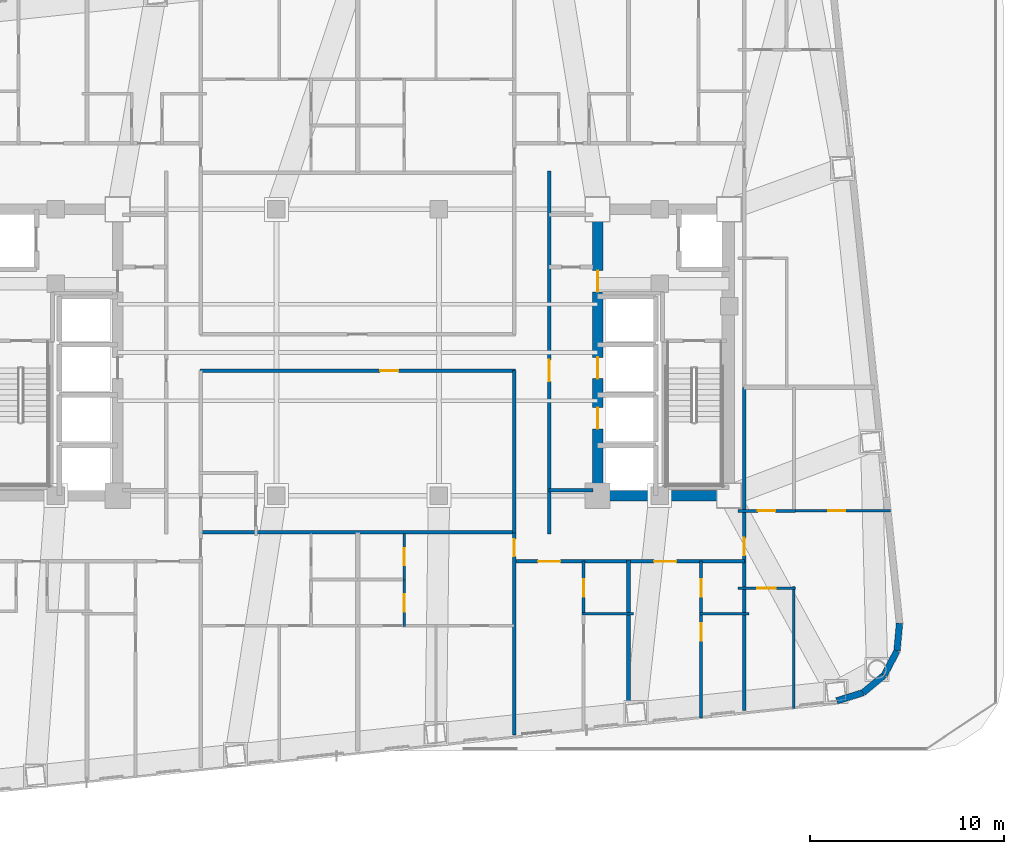
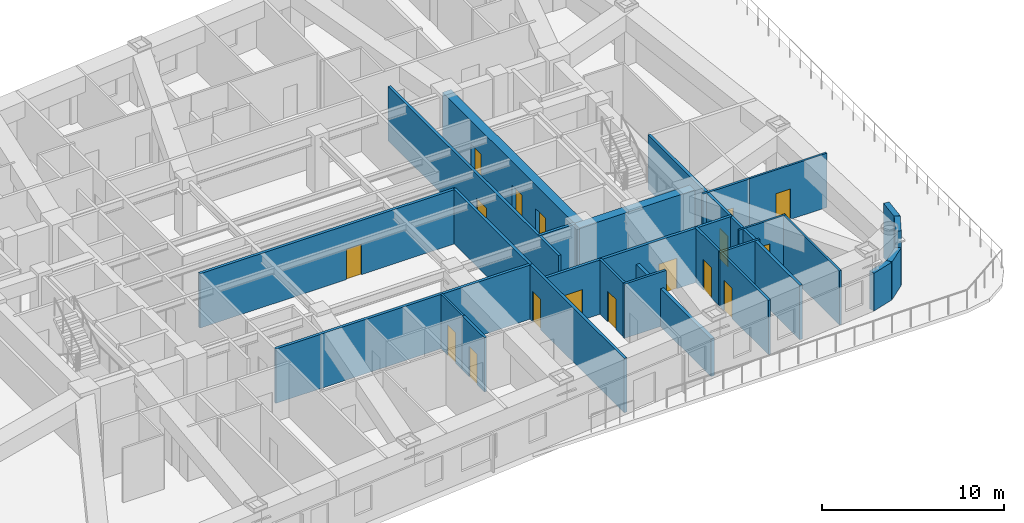
# One storey, part 9 of 15: 26 walls, 17 doors, 17 openings.
"""IFC4 building model written with IfcOpenShell, lengths in metres."""

import ifcopenshell
import ifcopenshell.guid

model = None  # the IFC model being written
_history = None  # IfcOwnerHistory: only IFC2X3 demands one
_inside = {}  # id of a spatial element -> (the spatial element, [elements in it])
_under = {}  # id of a project, library or spatial element -> (it, [spatial elements below it])
_declared = {}  # id of a project -> (the project, [libraries it declares])
_typed = {}  # id of a type object -> (the type object, [elements of that type])
_made_of = {}  # id of a material, layer set ... -> (it, [elements and type objects made of it])


def new_model(schema):
    """Start an empty IFC model of exactly this schema.

    Asked for "IFC4X3", IfcOpenShell would pick the latest addendum, in which some entities
    have other attributes; the version numbers below select the first issue.
    IFC2X3 requires an IfcOwnerHistory on every rooted entity: one is made here for all.
    """
    global model, _history
    if schema == "IFC4X3":
        model = ifcopenshell.file(schema_version=(4, 3, 0, 0))
    else:
        model = ifcopenshell.file(schema=schema)
    _inside.clear()
    _under.clear()
    _declared.clear()
    _typed.clear()
    _made_of.clear()
    _history = None
    if model.schema == "IFC2X3":
        org = make("IfcOrganization", Name="unknown")
        user = make(
            "IfcPersonAndOrganization",
            ThePerson=make("IfcPerson", FamilyName="unknown"),
            TheOrganization=org,
        )
        app = make(
            "IfcApplication",
            ApplicationDeveloper=org,
            Version="unknown",
            ApplicationFullName="unknown",
            ApplicationIdentifier="unknown",
        )
        _history = make(
            "IfcOwnerHistory",
            OwningUser=user,
            OwningApplication=app,
            ChangeAction="ADDED",
            CreationDate=0,
        )
    return model


def make(cls, **values):
    """One entity of the class cls with the attributes given. An attribute that is None is left unset."""
    return model.create_entity(
        cls, **{name: value for name, value in values.items() if value is not None}
    )


def rooted(cls, **values):
    """An entity with a GlobalId (a new one), such as an element, a storey or a relation."""
    return make(cls, GlobalId=ifcopenshell.guid.new(), OwnerHistory=_history, **values)


def si_unit(unit_type, name, prefix=None):
    """IfcSIUnit, for example si_unit("LENGTHUNIT", "METRE", prefix="MILLI")."""
    return make("IfcSIUnit", UnitType=unit_type, Prefix=prefix, Name=name)


def assignment(units):
    """IfcUnitAssignment: the units of a project."""
    return None if units is None else make("IfcUnitAssignment", Units=units)


def point(xyz):
    """IfcCartesianPoint."""
    return None if xyz is None else make("IfcCartesianPoint", Coordinates=xyz)


def direction(xyz):
    """IfcDirection."""
    return None if xyz is None else make("IfcDirection", DirectionRatios=xyz)


def frame(location, z_axis=None, x_axis=None):
    """IfcAxis2Placement3D, a coordinate frame: its origin and axes. An axis left out is left unset."""
    return make(
        "IfcAxis2Placement3D",
        Location=point(location),
        Axis=direction(z_axis),
        RefDirection=direction(x_axis),
    )


def frame_2d(location, x_axis=None):
    """IfcAxis2Placement2D, a coordinate frame in the plane: its origin and x axis."""
    return make(
        "IfcAxis2Placement2D", Location=point(location), RefDirection=direction(x_axis)
    )


def origin():
    """The frame at (0, 0, 0) with its axes left unset."""
    return frame((0.0, 0.0, 0.0))


def place(relative_to, where):
    """IfcLocalPlacement: puts the frame where relative to a parent placement (None: the world)."""
    return make(
        "IfcLocalPlacement", PlacementRelTo=relative_to, RelativePlacement=where
    )


def context(
    kind, dimensions, precision=None, world=None, true_north=None, identifier=None
):
    """IfcGeometricRepresentationContext, for example the 3D "Model" context."""
    return make(
        "IfcGeometricRepresentationContext",
        ContextIdentifier=identifier,
        ContextType=kind,
        CoordinateSpaceDimension=dimensions,
        Precision=precision,
        WorldCoordinateSystem=world,
        TrueNorth=true_north,
    )


def subcontext(parent, identifier, kind, view, scale=None):
    """IfcGeometricRepresentationSubContext, for example "Body" below "Model"."""
    return make(
        "IfcGeometricRepresentationSubContext",
        ContextIdentifier=identifier,
        ContextType=kind,
        ParentContext=parent,
        TargetScale=scale,
        TargetView=view,
    )


def project(units=None, contexts=None):
    """IfcProject with its units and contexts."""
    return rooted(
        "IfcProject",
        Name="project",
        RepresentationContexts=contexts,
        UnitsInContext=assignment(units),
    )


def spatial(cls, under=None, at=None, **own):
    """A site, building, storey or space (cls), placed at a placement, below another one or the project."""
    s = rooted(cls, ObjectPlacement=at, **own)
    if under is not None:
        _under.setdefault(under.id(), (under, []))[1].append(s)
    return s


def profile(cls, at=None, kind="AREA", **sizes):
    """A parametric profile (cls). Its sizes go by their IFC names, for example OverallWidth=200.0."""
    return make(cls, ProfileType=kind, Position=at, **sizes)


def rectangle(**sizes):
    """IfcRectangleProfileDef."""
    return profile("IfcRectangleProfileDef", **sizes)


def extrude(swept, where, along, depth):
    """IfcExtrudedAreaSolid: the profile swept, set in the frame where, extruded along a direction by depth."""
    return make(
        "IfcExtrudedAreaSolid",
        SweptArea=swept,
        Position=where,
        ExtrudedDirection=direction(along),
        Depth=depth,
    )


def shape(context_of_items, identifier, shape_type, items):
    """IfcShapeRepresentation: the items that make up one representation, for example the "Body"."""
    return make(
        "IfcShapeRepresentation",
        ContextOfItems=context_of_items,
        RepresentationIdentifier=identifier,
        RepresentationType=shape_type,
        Items=items,
    )


def material(Name=None, Category=None):
    """IfcMaterial."""
    return make("IfcMaterial", Name=Name, Category=Category)


def layer(
    of_material, thickness, ventilated=None, Name=None, Category=None, Priority=None
):
    """IfcMaterialLayer: one layer of a wall or slab, of a material (None: an air gap)."""
    return make(
        "IfcMaterialLayer",
        Material=of_material,
        LayerThickness=thickness,
        IsVentilated=ventilated,
        Name=Name,
        Category=Category,
        Priority=Priority,
    )


def layer_set(layers, Name=None):
    """IfcMaterialLayerSet."""
    return make("IfcMaterialLayerSet", MaterialLayers=layers, LayerSetName=Name)


def made_of(thing, what):
    """Note that an element or type object is made of a material, layer set ...; save() writes the relation."""
    if what is not None:
        _made_of.setdefault(what.id(), (what, []))[1].append(thing)
    return thing


def type_object(cls, material=None, **own):
    """A type object (cls), such as IfcWallType, which elements share."""
    return made_of(rooted(cls, **own), material)


def element(
    cls,
    number,
    at=None,
    inside=None,
    cuts=None,
    type_object=None,
    material=None,
    context=None,
    identifier="Body",
    shape_type=None,
    held_by="IfcProductDefinitionShape",
    body=None,
    shapes=None,
    **own,
):
    """One element of the class cls, such as IfcWall. Its Tag is "e" and its number.

    at: its placement. inside: the storey or other place that contains it. cuts: it is an
    opening in that element (IfcRelVoidsElement). A single representation is given by context,
    identifier, shape_type and body (its items); several are given by shapes. held_by: the class
    of the entity that holds the representations. save() writes the other relations.
    """
    e = rooted(cls, Tag="e%d" % number, ObjectPlacement=at, **own)
    if body is not None:
        shapes = [shape(context, identifier, shape_type, body)]
    if shapes is not None:
        e.Representation = make(held_by, Representations=shapes)
    if inside is not None:
        _inside.setdefault(inside.id(), (inside, []))[1].append(e)
    if cuts is not None:
        rooted(
            "IfcRelVoidsElement", RelatingBuildingElement=cuts, RelatedOpeningElement=e
        )
    if type_object is not None:
        _typed.setdefault(type_object.id(), (type_object, []))[1].append(e)
    return made_of(e, material)


def fill(opening, filler):
    """IfcRelFillsElement: the door or window that sits in an opening."""
    return rooted(
        "IfcRelFillsElement",
        RelatingOpeningElement=opening,
        RelatedBuildingElement=filler,
    )


def aggregate(whole, parts):
    """IfcRelAggregates: a whole, such as a stair, and the parts it consists of."""
    return rooted("IfcRelAggregates", RelatingObject=whole, RelatedObjects=parts)


def save(model, path):
    """Write the relations noted so far, then the file.

    IfcRelAggregates (storeys below a building ...), IfcRelContainedInSpatialStructure (elements
    in a storey), IfcRelDefinesByType, IfcRelAssociatesMaterial and IfcRelDeclares: one each for
    every whole, place, type object, material and project.
    """
    for whole, parts in _under.values():
        aggregate(whole, parts)
    for where, things in _inside.values():
        rooted(
            "IfcRelContainedInSpatialStructure",
            RelatedElements=things,
            RelatingStructure=where,
        )
    for kind, things in _typed.values():
        rooted("IfcRelDefinesByType", RelatedObjects=things, RelatingType=kind)
    for what, things in _made_of.values():
        rooted("IfcRelAssociatesMaterial", RelatedObjects=things, RelatingMaterial=what)
    for by, libraries in _declared.values():
        rooted("IfcRelDeclares", RelatingContext=by, RelatedDefinitions=libraries)
    model.write(path)


model = new_model("IFC4")

# Units and contexts
model_context = context("Model", 3, precision=1e-05, world=origin(), true_north=direction((0.0, 1.0)))
body_context = subcontext(model_context, "Body", "Model", "MODEL_VIEW")
ifc_project = project(units=[si_unit("LENGTHUNIT", "METRE"), si_unit("AREAUNIT", "SQUARE_METRE"), si_unit("VOLUMEUNIT", "CUBIC_METRE"), si_unit("PLANEANGLEUNIT", "RADIAN"), si_unit("MASSUNIT", "GRAM", prefix="KILO")], contexts=[model_context])

# Site, building, storey
site_placement = place(None, origin())
site = spatial("IfcSite", under=ifc_project, at=site_placement, CompositionType="ELEMENT")
building_placement = place(site_placement, origin())
building = spatial("IfcBuilding", under=site, at=building_placement, Name="Voryun Gate Residences", CompositionType="ELEMENT")
storey_placement = place(building_placement, frame((0.0, 0.0, 140.39990234375)))
storey = spatial("IfcBuildingStorey", under=building, at=storey_placement, Name="L34", CompositionType="ELEMENT", Elevation=140.39990234375)

# Wall
ifc_material_1 = material(Name="Concrete C60/75", Category="concrete")
ifc_layer_1 = layer(ifc_material_1, 0.550048828125, Name="CW_CORE_550")
ifc_layer_set_1 = layer_set([ifc_layer_1], Name="Concrete C60/75")
wall_type_1 = type_object("IfcWallType", Name="CW_CORE_550", PredefinedType="SHEAR", material=ifc_layer_set_1)
wall_1_placement = place(storey_placement, frame((12.125, -7.39990234375, 0.0), z_axis=(0.0, 0.0, 1.0), x_axis=(1.0, 0.0, 0.0)))
element("IfcWall", 1, at=wall_1_placement, inside=storey, type_object=wall_type_1, Name="L34 Core shear wall CW-L34-ES", PredefinedType="SHEAR", context=body_context, shape_type="SweptSolid", body=[
    extrude(rectangle(XDim=7.35009765625, YDim=0.550048828125, at=frame_2d((3.675048828125, 0.0))), origin(), (0.0, 0.0, 1.0), 3.650146484375),
])

# Wall, openings, doors
wall_2_placement = place(storey_placement, frame((12.39990234375, -7.39990234375, 0.0), z_axis=(0.0, 0.0, 1.0), x_axis=(0.0, 1.0, 0.0)))
wall_2 = element("IfcWall", 2, at=wall_2_placement, inside=storey, type_object=wall_type_1, Name="L34 Core shear wall CW-L34-EW", PredefinedType="SHEAR", context=body_context, shape_type="SweptSolid", body=[
    extrude(rectangle(XDim=14.7998046875, YDim=0.550048828125, at=frame_2d((7.39990234375, 0.0))), origin(), (0.0, 0.0, 1.0), 3.650146484375),
])
opening_1_placement = place(wall_2_placement, frame((3.449951171875, 0.0, 0.0)))
opening_1 = element("IfcOpeningElement", 3, at=opening_1_placement, cuts=wall_2, Name="Opening LD2", PredefinedType="OPENING", context=body_context, shape_type="SweptSolid", body=[
    extrude(rectangle(XDim=1.10009765625, YDim=2.050048828125, at=frame_2d((0.550048828125, 1.02490234375))), frame((0.0, 0.284912109375, 0.0), z_axis=(0.0, -1.0, 0.0), x_axis=(1.0, 0.0, 0.0)), (0.0, 0.0, 1.0), 0.570068359375),
])
opening_2_placement = place(wall_2_placement, frame((6.050048828125, 0.0, 0.0)))
opening_2 = element("IfcOpeningElement", 4, at=opening_2_placement, cuts=wall_2, Name="Opening LD2", PredefinedType="OPENING", context=body_context, shape_type="SweptSolid", body=[
    extrude(rectangle(XDim=1.10009765625, YDim=2.050048828125, at=frame_2d((0.550048828125, 1.02490234375))), frame((0.0, 0.284912109375, 0.0), z_axis=(0.0, -1.0, 0.0), x_axis=(1.0, 0.0, 0.0)), (0.0, 0.0, 1.0), 0.570068359375),
])
opening_3_placement = place(wall_2_placement, frame((10.530029296875, 0.0, 0.0)))
opening_3 = element("IfcOpeningElement", 5, at=opening_3_placement, cuts=wall_2, Name="Opening D-FD60-2", PredefinedType="OPENING", context=body_context, shape_type="SweptSolid", body=[
    extrude(rectangle(XDim=1.10009765625, YDim=2.050048828125, at=frame_2d((0.550048828125, 1.02490234375))), frame((0.0, 0.284912109375, 0.0), z_axis=(0.0, -1.0, 0.0), x_axis=(1.0, 0.0, 0.0)), (0.0, 0.0, 1.0), 0.570068359375),
])
ifc_material_2 = material(Name="Painted steel fire door", Category="steel")
door_type_1 = type_object("IfcDoorType", Name="DR_FD60_FFLOB_1100", OperationType="NOTDEFINED", PredefinedType="DOOR", material=ifc_material_2)
door_1_placement = place(opening_3_placement, origin())
door_1 = element("IfcDoor", 6, at=door_1_placement, inside=storey, type_object=door_type_1, Name="Door DR-L34-CLOB-E", OperationType="SINGLE_SWING_RIGHT", OverallHeight=2.050048828125, OverallWidth=1.10009765625, PredefinedType="DOOR", context=body_context, shape_type="SweptSolid", body=[
    extrude(rectangle(XDim=1.10009765625, YDim=2.050048828125, at=frame_2d((0.550048828125, 1.02490234375))), frame((0.0, 0.02490234375, 0.0), z_axis=(0.0, -1.0, 0.0), x_axis=(1.0, 0.0, 0.0)), (0.0, 0.0, 1.0), 0.050048828125),
])
fill(opening_3, door_1)
ifc_material_3 = material(Name="Anodised aluminium", Category="aluminium")
door_type_2 = type_object("IfcDoorType", Name="DR_LD_PASS_1100", OperationType="NOTDEFINED", PredefinedType="DOOR", material=ifc_material_3)
door_2_placement = place(opening_1_placement, origin())
door_2 = element("IfcDoor", 7, at=door_2_placement, inside=storey, type_object=door_type_2, Name="Lift EL-P5 sliding landing door L34", OperationType="SLIDING_TO_LEFT", OverallHeight=2.050048828125, OverallWidth=1.10009765625, PredefinedType="DOOR", context=body_context, shape_type="SweptSolid", body=[
    extrude(rectangle(XDim=1.10009765625, YDim=2.050048828125, at=frame_2d((0.550048828125, 1.02490234375))), frame((0.0, 0.02490234375, 0.0), z_axis=(0.0, -1.0, 0.0), x_axis=(1.0, 0.0, 0.0)), (0.0, 0.0, 1.0), 0.050048828125),
])
fill(opening_1, door_2)
door_3_placement = place(opening_2_placement, origin())
door_3 = element("IfcDoor", 8, at=door_3_placement, inside=storey, type_object=door_type_2, Name="Lift EL-P6 sliding landing door L34", OperationType="SLIDING_TO_LEFT", OverallHeight=2.050048828125, OverallWidth=1.10009765625, PredefinedType="DOOR", context=body_context, shape_type="SweptSolid", body=[
    extrude(rectangle(XDim=1.10009765625, YDim=2.050048828125, at=frame_2d((0.550048828125, 1.02490234375))), frame((0.0, 0.02490234375, 0.0), z_axis=(0.0, -1.0, 0.0), x_axis=(1.0, 0.0, 0.0)), (0.0, 0.0, 1.0), 0.050048828125),
])
fill(opening_2, door_3)

# Wall
ifc_material_4 = material(Name="Gypsum acoustic fireboard")
ifc_layer_2 = layer(ifc_material_4, 0.179931640625, Name="W_CORR_RATED_180")
ifc_layer_set_2 = layer_set([ifc_layer_2], Name="Gypsum acoustic fireboard")
wall_type_2 = type_object("IfcWallType", Name="W_CORR_RATED_180", PredefinedType="PARTITIONING", material=ifc_layer_set_2)
wall_3_placement = place(storey_placement, frame((9.8798828125, -7.1201171875, 0.0), z_axis=(0.0, 0.0, 1.0), x_axis=(1.0, 0.0, 0.0)))
element("IfcWall", 9, at=wall_3_placement, inside=storey, type_object=wall_type_2, Name="Partition wall WP-L34-PLBS-E", PredefinedType="PARTITIONING", context=body_context, shape_type="SweptSolid", body=[
    extrude(rectangle(XDim=2.27001953125, YDim=0.179931640625, at=frame_2d((1.135009765625, 0.0))), origin(), (0.0, 0.0, 1.0), 3.650146484375),
])

# Wall, opening, door
wall_4_placement = place(storey_placement, frame((9.89990234375, -9.3798828125, 0.0), z_axis=(0.0, 0.0, 1.0), x_axis=(0.0, 1.0, 0.0)))
wall_4 = element("IfcWall", 10, at=wall_4_placement, inside=storey, type_object=wall_type_2, Name="Partition wall WP-L34-PLBE-FULL", PredefinedType="PARTITIONING", context=body_context, shape_type="SweptSolid", body=[
    extrude(rectangle(XDim=18.759765625, YDim=0.179931640625, at=frame_2d((9.3798828125, 0.0))), origin(), (0.0, 0.0, 1.0), 3.650146484375),
])
opening_4_placement = place(wall_4_placement, frame((7.89208984375, 0.0, 0.0)))
opening_4 = element("IfcOpeningElement", 11, at=opening_4_placement, cuts=wall_4, Name="Opening D-FD60-2", PredefinedType="OPENING", context=body_context, shape_type="SweptSolid", body=[
    extrude(rectangle(XDim=1.10009765625, YDim=2.050048828125, at=frame_2d((0.550048828125, 1.02490234375))), frame((0.0, 0.099853515625, 0.0), z_axis=(0.0, -1.0, 0.0), x_axis=(1.0, 0.0, 0.0)), (0.0, 0.0, 1.0), 0.199951171875),
])
door_4_placement = place(opening_4_placement, origin())
door_4 = element("IfcDoor", 12, at=door_4_placement, inside=storey, type_object=door_type_1, Name="Door DR-L34-PLBE-COR", OperationType="SINGLE_SWING_RIGHT", OverallHeight=2.050048828125, OverallWidth=1.10009765625, PredefinedType="DOOR", context=body_context, shape_type="SweptSolid", body=[
    extrude(rectangle(XDim=1.10009765625, YDim=2.050048828125, at=frame_2d((0.550048828125, 1.02490234375))), frame((0.0, 0.02490234375, 0.0), z_axis=(0.0, -1.0, 0.0), x_axis=(1.0, 0.0, 0.0)), (0.0, 0.0, 1.0), 0.050048828125),
])
fill(opening_4, door_4)

# Wall
wall_5_placement = place(storey_placement, frame((-8.14990234375, -9.2900390625, 0.0), z_axis=(0.0, 0.0, 1.0), x_axis=(1.0, 0.0, 0.0)))
element("IfcWall", 13, at=wall_5_placement, inside=storey, type_object=wall_type_2, Name="Partition wall WP-L34-Z2S", PredefinedType="PARTITIONING", context=body_context, shape_type="SweptSolid", body=[
    extrude(rectangle(XDim=16.2998046875, YDim=0.179931640625, at=frame_2d((8.14990234375, 0.0))), origin(), (0.0, 0.0, 1.0), 3.650146484375),
])

# Wall, opening, door
wall_6_placement = place(storey_placement, frame((-8.14990234375, -0.93994140625, 0.0), z_axis=(0.0, 0.0, 1.0), x_axis=(1.0, 0.0, 0.0)))
wall_6 = element("IfcWall", 14, at=wall_6_placement, inside=storey, type_object=wall_type_2, Name="Partition wall WP-L34-Z2HS", PredefinedType="PARTITIONING", context=body_context, shape_type="SweptSolid", body=[
    extrude(rectangle(XDim=16.2998046875, YDim=0.179931640625, at=frame_2d((8.14990234375, 0.0))), origin(), (0.0, 0.0, 1.0), 3.650146484375),
])
opening_5_placement = place(wall_6_placement, frame((9.304931640625, 0.0, 0.0)))
opening_5 = element("IfcOpeningElement", 15, at=opening_5_placement, cuts=wall_6, Name="Opening D-INT-1", PredefinedType="OPENING", context=body_context, shape_type="SweptSolid", body=[
    extrude(rectangle(XDim=0.949951171875, YDim=2.050048828125, at=frame_2d((0.47509765625, 1.02490234375))), frame((0.0, 0.099853515625, 0.0), z_axis=(0.0, -1.0, 0.0), x_axis=(1.0, 0.0, 0.0)), (0.0, 0.0, 1.0), 0.199951171875),
])
ifc_material_5 = material(Name="Architectural oak veneer")
door_type_3 = type_object("IfcDoorType", Name="DR_INT_ROOM_950", OperationType="NOTDEFINED", PredefinedType="DOOR", material=ifc_material_5)
door_5_placement = place(opening_5_placement, origin())
door_5 = element("IfcDoor", 16, at=door_5_placement, inside=storey, type_object=door_type_3, Name="Door DR-L34-Z2SH", OperationType="SINGLE_SWING_RIGHT", OverallHeight=2.050048828125, OverallWidth=0.949951171875, PredefinedType="DOOR", context=body_context, shape_type="SweptSolid", body=[
    extrude(rectangle(XDim=0.949951171875, YDim=2.050048828125, at=frame_2d((0.47509765625, 1.02490234375))), frame((0.0, 0.02490234375, 0.0), z_axis=(0.0, -1.0, 0.0), x_axis=(1.0, 0.0, 0.0)), (0.0, 0.0, 1.0), 0.050048828125),
])
fill(opening_5, door_5)

# Wall
wall_7_placement = place(storey_placement, frame((8.10009765625, -9.330078125, 0.0), z_axis=(0.0, 0.0, 1.0), x_axis=(0.0, 1.0, 0.0)))
element("IfcWall", 17, at=wall_7_placement, inside=storey, type_object=wall_type_2, Name="Partition wall WP-L34-Z2ER2", PredefinedType="PARTITIONING", context=body_context, shape_type="SweptSolid", body=[
    extrude(rectangle(XDim=8.41015625, YDim=0.179931640625, at=frame_2d((4.205078125, 0.0))), origin(), (0.0, 0.0, 1.0), 3.650146484375),
])

# Wall, openings, doors
wall_8_placement = place(storey_placement, frame((8.080078125, -10.800048828125, 0.0), z_axis=(0.0, 0.0, 1.0), x_axis=(1.0, 0.0, 0.0)))
wall_8 = element("IfcWall", 18, at=wall_8_placement, inside=storey, type_object=wall_type_2, Name="Partition wall WP-L34-SCORR-E", PredefinedType="PARTITIONING", context=body_context, shape_type="SweptSolid", body=[
    extrude(rectangle(XDim=11.919921875, YDim=0.179931640625, at=frame_2d((5.9599609375, 0.0))), origin(), (0.0, 0.0, 1.0), 3.650146484375),
])
opening_6_placement = place(wall_8_placement, frame((1.251220703125, 0.0, 0.0)))
opening_6 = element("IfcOpeningElement", 19, at=opening_6_placement, cuts=wall_8, Name="Opening D-UNIT-1", PredefinedType="OPENING", context=body_context, shape_type="SweptSolid", body=[
    extrude(rectangle(XDim=1.14990234375, YDim=2.050048828125, at=frame_2d((0.574951171875, 1.02490234375))), frame((0.0, 0.099853515625, 0.0), z_axis=(0.0, -1.0, 0.0), x_axis=(1.0, 0.0, 0.0)), (0.0, 0.0, 1.0), 0.199951171875),
])
opening_7_placement = place(wall_8_placement, frame((7.244384765625, 0.0, 0.0)))
opening_7 = element("IfcOpeningElement", 20, at=opening_7_placement, cuts=wall_8, Name="Opening D-UNIT-1", PredefinedType="OPENING", context=body_context, shape_type="SweptSolid", body=[
    extrude(rectangle(XDim=1.14990234375, YDim=2.050048828125, at=frame_2d((0.574951171875, 1.02490234375))), frame((0.0, 0.099853515625, 0.0), z_axis=(0.0, -1.0, 0.0), x_axis=(1.0, 0.0, 0.0)), (0.0, 0.0, 1.0), 0.199951171875),
])
ifc_material_6 = material(Name="Armoured timber-clad fire door", Category="wood")
door_type_4 = type_object("IfcDoorType", Name="DR_UNIT_ENTRY_1150", OperationType="NOTDEFINED", PredefinedType="DOOR", material=ifc_material_6)
door_6_placement = place(opening_6_placement, origin())
door_6 = element("IfcDoor", 21, at=door_6_placement, inside=storey, type_object=door_type_4, Name="Door DR-L34-SENT-4", OperationType="SINGLE_SWING_LEFT", OverallHeight=2.050048828125, OverallWidth=1.14990234375, PredefinedType="DOOR", context=body_context, shape_type="SweptSolid", body=[
    extrude(rectangle(XDim=1.14990234375, YDim=2.050048828125, at=frame_2d((0.574951171875, 1.02490234375))), frame((0.0, 0.02490234375, 0.0), z_axis=(0.0, -1.0, 0.0), x_axis=(1.0, 0.0, 0.0)), (0.0, 0.0, 1.0), 0.050048828125),
])
fill(opening_6, door_6)
door_7_placement = place(opening_7_placement, origin())
door_7 = element("IfcDoor", 22, at=door_7_placement, inside=storey, type_object=door_type_4, Name="Door DR-L34-SENT-5", OperationType="SINGLE_SWING_RIGHT", OverallHeight=2.050048828125, OverallWidth=1.14990234375, PredefinedType="DOOR", context=body_context, shape_type="SweptSolid", body=[
    extrude(rectangle(XDim=1.14990234375, YDim=2.050048828125, at=frame_2d((0.574951171875, 1.02490234375))), frame((0.0, 0.02490234375, 0.0), z_axis=(0.0, -1.0, 0.0), x_axis=(1.0, 0.0, 0.0)), (0.0, 0.0, 1.0), 0.050048828125),
])
fill(opening_7, door_7)

# Wall, opening, door
wall_9_placement = place(storey_placement, frame((8.10009765625, -19.75390625, 0.0), z_axis=(0.0, 0.0, 1.0), x_axis=(0.0, 1.0, 0.0)))
wall_9 = element("IfcWall", 23, at=wall_9_placement, inside=storey, type_object=wall_type_2, Name="Partition wall WP-L34-SZV-2", PredefinedType="PARTITIONING", context=body_context, shape_type="SweptSolid", body=[
    extrude(rectangle(XDim=10.4638671875, YDim=0.179931640625, at=frame_2d((5.23193359375, 0.0))), origin(), (0.0, 0.0, 1.0), 3.650146484375),
])
opening_8_placement = place(wall_9_placement, frame((9.21337890625, 0.0, 0.0)))
opening_8 = element("IfcOpeningElement", 24, at=opening_8_placement, cuts=wall_9, Name="Opening D-INT-2", PredefinedType="OPENING", context=body_context, shape_type="SweptSolid", body=[
    extrude(rectangle(XDim=0.89990234375, YDim=2.050048828125, at=frame_2d((0.449951171875, 1.02490234375))), frame((0.0, 0.099853515625, 0.0), z_axis=(0.0, -1.0, 0.0), x_axis=(1.0, 0.0, 0.0)), (0.0, 0.0, 1.0), 0.199951171875),
])
ifc_material_7 = material(Name="Architectural oak veneer")
door_type_5 = type_object("IfcDoorType", Name="DR_INT_BATH_900", OperationType="NOTDEFINED", PredefinedType="DOOR", material=ifc_material_7)
door_8_placement = place(opening_8_placement, origin())
door_8 = element("IfcDoor", 25, at=door_8_placement, inside=storey, type_object=door_type_5, Name="Door DR-L34-SZENT-2", OperationType="SINGLE_SWING_RIGHT", OverallHeight=2.050048828125, OverallWidth=0.89990234375, PredefinedType="DOOR", context=body_context, shape_type="SweptSolid", body=[
    extrude(rectangle(XDim=0.89990234375, YDim=2.050048828125, at=frame_2d((0.449951171875, 1.02490234375))), frame((0.0, 0.02490234375, 0.0), z_axis=(0.0, -1.0, 0.0), x_axis=(1.0, 0.0, 0.0)), (0.0, 0.0, 1.0), 0.050048828125),
])
fill(opening_8, door_8)

wall_10_placement = place(storey_placement, frame((19.969970703125, -18.506103515625, 0.0), z_axis=(0.0, 0.0, 1.0), x_axis=(0.0, 1.0, 0.0)))
wall_10 = element("IfcWall", 26, at=wall_10_placement, inside=storey, type_object=wall_type_2, Name="Partition wall WP-L34-ECOR1", PredefinedType="PARTITIONING", context=body_context, shape_type="SweptSolid", body=[
    extrude(rectangle(XDim=16.7060546875, YDim=0.179931640625, at=frame_2d((8.35302734375, 0.0))), origin(), (0.0, 0.0, 1.0), 3.650146484375),
])
opening_9_placement = place(wall_10_placement, frame((8.026611328125, 0.0, 0.0)))
opening_9 = element("IfcOpeningElement", 27, at=opening_9_placement, cuts=wall_10, Name="Opening D-INT-2", PredefinedType="OPENING", context=body_context, shape_type="SweptSolid", body=[
    extrude(rectangle(XDim=0.89990234375, YDim=2.050048828125, at=frame_2d((0.449951171875, 1.02490234375))), frame((0.0, 0.099853515625, 0.0), z_axis=(0.0, -1.0, 0.0), x_axis=(1.0, 0.0, 0.0)), (0.0, 0.0, 1.0), 0.199951171875),
])
door_9_placement = place(opening_9_placement, origin())
door_9 = element("IfcDoor", 28, at=door_9_placement, inside=storey, type_object=door_type_5, Name="Door DR-L34-EE1", OperationType="SINGLE_SWING_LEFT", OverallHeight=2.050048828125, OverallWidth=0.89990234375, PredefinedType="DOOR", context=body_context, shape_type="SweptSolid", body=[
    extrude(rectangle(XDim=0.89990234375, YDim=2.050048828125, at=frame_2d((0.449951171875, 1.02490234375))), frame((0.0, 0.02490234375, 0.0), z_axis=(0.0, -1.0, 0.0), x_axis=(1.0, 0.0, 0.0)), (0.0, 0.0, 1.0), 0.050048828125),
])
fill(opening_9, door_9)

# Walls
ifc_material_8 = material(Name="Charcoal terracotta masonry", Category="masonry")
ifc_layer_3 = layer(ifc_material_8, 0.340087890625, Name="W_EXT_TERRACOTTA_340")
ifc_layer_set_3 = layer_set([ifc_layer_3], Name="Charcoal terracotta masonry")
wall_type_3 = type_object("IfcWallType", Name="W_EXT_TERRACOTTA_340", PredefinedType="ELEMENTEDWALL", material=ifc_layer_set_3)
wall_11_placement = place(storey_placement, frame((28.001220703125, -13.9951171875, 0.0), z_axis=(0.0, 0.0, 1.0), x_axis=(-0.091534682358, -0.995801888894, 0.0)))
element("IfcWall", 29, at=wall_11_placement, inside=storey, type_object=wall_type_3, Name="Exterior wall WEXT-L34-17", PredefinedType="ELEMENTEDWALL", context=body_context, shape_type="SweptSolid", body=[
    extrude(rectangle(XDim=1.432373046875, YDim=0.340087890625, at=frame_2d((0.71630859375, 0.0))), origin(), (0.0, 0.0, 1.0), 3.650146484375),
])
wall_12_placement = place(storey_placement, frame((27.8701171875, -15.42138671875, 0.0), z_axis=(0.0, 0.0, 1.0), x_axis=(-0.465682431293, -0.884951904447, 0.0)))
element("IfcWall", 30, at=wall_12_placement, inside=storey, type_object=wall_type_3, Name="Exterior wall WEXT-L34-18", PredefinedType="ELEMENTEDWALL", context=body_context, shape_type="SweptSolid", body=[
    extrude(rectangle(XDim=1.4150390625, YDim=0.340087890625, at=frame_2d((0.70751953125, 0.0))), origin(), (0.0, 0.0, 1.0), 3.650146484375),
])
wall_13_placement = place(storey_placement, frame((27.211181640625, -16.673583984375, 0.0), z_axis=(0.0, 0.0, 1.0), x_axis=(-0.768758372808, -0.639539337522, 0.0)))
element("IfcWall", 31, at=wall_13_placement, inside=storey, type_object=wall_type_3, Name="Exterior wall WEXT-L34-19", PredefinedType="ELEMENTEDWALL", context=body_context, shape_type="SweptSolid", body=[
    extrude(rectangle(XDim=1.4150390625, YDim=0.340087890625, at=frame_2d((0.70751953125, 0.0))), origin(), (0.0, 0.0, 1.0), 2.5400390625),
])
wall_14_placement = place(storey_placement, frame((26.123291015625, -17.57861328125, 0.0), z_axis=(0.0, 0.0, 1.0), x_axis=(-0.955042500381, -0.296468923271, 0.0)))
element("IfcWall", 32, at=wall_14_placement, inside=storey, type_object=wall_type_3, Name="Exterior wall WEXT-L34-20", PredefinedType="ELEMENTEDWALL", context=body_context, shape_type="SweptSolid", body=[
    extrude(rectangle(XDim=1.43212890625, YDim=0.340087890625, at=frame_2d((0.716064453125, 0.0))), origin(), (0.0, 0.0, 1.0), 2.5400390625),
])
ifc_material_9 = material(Name="Concrete C40/50", Category="concrete")
ifc_layer_4 = layer(ifc_material_9, 0.219970703125, Name="W_PARTY_ACOUSTIC_220")
ifc_layer_set_4 = layer_set([ifc_layer_4], Name="Concrete C40/50")
wall_type_4 = type_object("IfcWallType", Name="W_PARTY_ACOUSTIC_220", PredefinedType="PARTITIONING", material=ifc_layer_set_4)
wall_15_placement = place(storey_placement, frame((13.989990234375, -19.134765625, 0.0), z_axis=(0.0, 0.0, 1.0), x_axis=(0.0, 1.0, 0.0)))
element("IfcWall", 33, at=wall_15_placement, inside=storey, type_object=wall_type_4, Name="Partition wall WP-L34-SPTY-4", PredefinedType="PARTITIONING", context=body_context, shape_type="SweptSolid", body=[
    extrude(rectangle(XDim=8.414794921875, YDim=0.219970703125, at=frame_2d((4.20751953125, 0.0))), origin(), (0.0, 0.0, 1.0), 2.5400390625),
])

# Wall, opening, door
ifc_material_10 = material(Name="Gypsum acoustic partition")
ifc_layer_5 = layer(ifc_material_10, 0.125, Name="W_UNIT_PART_125")
ifc_layer_set_5 = layer_set([ifc_layer_5], Name="Gypsum acoustic partition")
wall_type_5 = type_object("IfcWallType", Name="W_UNIT_PART_125", PredefinedType="PARTITIONING", material=ifc_layer_set_5)
wall_16_placement = place(storey_placement, frame((2.409912109375, -11.760009765625, 0.0), z_axis=(0.0, 0.0, 1.0), x_axis=(0.0, 1.0, 0.0)))
wall_16 = element("IfcWall", 34, at=wall_16_placement, inside=storey, type_object=wall_type_5, Name="Partition wall WP-L34-SC2-VK1", PredefinedType="PARTITIONING", context=body_context, shape_type="SweptSolid", body=[
    extrude(rectangle(XDim=2.409912109375, YDim=0.125, at=frame_2d((1.205078125, 0.0))), origin(), (0.0, 0.0, 1.0), 3.650146484375),
])
opening_10_placement = place(wall_16_placement, frame((0.7548828125, 0.0, 0.0)))
opening_10 = element("IfcOpeningElement", 35, at=opening_10_placement, cuts=wall_16, Name="Opening D-INT-2", PredefinedType="OPENING", context=body_context, shape_type="SweptSolid", body=[
    extrude(rectangle(XDim=0.89990234375, YDim=2.050048828125, at=frame_2d((0.449951171875, 1.02490234375))), frame((0.0, 0.072509765625, 0.0), z_axis=(0.0, -1.0, 0.0), x_axis=(1.0, 0.0, 0.0)), (0.0, 0.0, 1.0), 0.14501953125),
])
door_10_placement = place(opening_10_placement, origin())
door_10 = element("IfcDoor", 36, at=door_10_placement, inside=storey, type_object=door_type_5, Name="Door DR-L34-SC2-DK", OperationType="SINGLE_SWING_LEFT", OverallHeight=2.050048828125, OverallWidth=0.89990234375, PredefinedType="DOOR", context=body_context, shape_type="SweptSolid", body=[
    extrude(rectangle(XDim=0.89990234375, YDim=2.050048828125, at=frame_2d((0.449951171875, 1.02490234375))), frame((0.0, 0.02490234375, 0.0), z_axis=(0.0, -1.0, 0.0), x_axis=(1.0, 0.0, 0.0)), (0.0, 0.0, 1.0), 0.050048828125),
])
fill(opening_10, door_10)

wall_17_placement = place(storey_placement, frame((22.48193359375, -8.18798828125, 0.0), z_axis=(0.0, 0.0, 1.0), x_axis=(1.0, 0.0, 0.0)))
wall_17 = element("IfcWall", 37, at=wall_17_placement, inside=storey, type_object=wall_type_5, Name="Partition wall WP-L34-E1-OHZ", PredefinedType="PARTITIONING", context=body_context, shape_type="SweptSolid", body=[
    extrude(rectangle(XDim=5.0595703125, YDim=0.125, at=frame_2d((2.52978515625, 0.0))), origin(), (0.0, 0.0, 1.0), 3.650146484375),
])
opening_11_placement = place(wall_17_placement, frame((1.826904296875, 0.0, 0.0)))
opening_11 = element("IfcOpeningElement", 38, at=opening_11_placement, cuts=wall_17, Name="Opening D-INT-2", PredefinedType="OPENING", context=body_context, shape_type="SweptSolid", body=[
    extrude(rectangle(XDim=0.89990234375, YDim=2.050048828125, at=frame_2d((0.449951171875, 1.02490234375))), frame((0.0, 0.072509765625, 0.0), z_axis=(0.0, -1.0, 0.0), x_axis=(1.0, 0.0, 0.0)), (0.0, 0.0, 1.0), 0.14501953125),
])
door_11_placement = place(opening_11_placement, origin())
door_11 = element("IfcDoor", 39, at=door_11_placement, inside=storey, type_object=door_type_5, Name="Door DR-L34-E1-DMB", OperationType="SINGLE_SWING_LEFT", OverallHeight=2.050048828125, OverallWidth=0.89990234375, PredefinedType="DOOR", context=body_context, shape_type="SweptSolid", body=[
    extrude(rectangle(XDim=0.89990234375, YDim=2.050048828125, at=frame_2d((0.449951171875, 1.02490234375))), frame((0.0, 0.02490234375, 0.0), z_axis=(0.0, -1.0, 0.0), x_axis=(1.0, 0.0, 0.0)), (0.0, 0.0, 1.0), 0.050048828125),
])
fill(opening_11, door_11)

wall_18_placement = place(storey_placement, frame((19.64990234375, -12.18505859375, 0.0), z_axis=(0.0, 0.0, 1.0), x_axis=(1.0, 0.0, 0.0)))
wall_18 = element("IfcWall", 40, at=wall_18_placement, inside=storey, type_object=wall_type_5, Name="Partition wall WP-L34-E1-IKA", PredefinedType="PARTITIONING", context=body_context, shape_type="SweptSolid", body=[
    extrude(rectangle(XDim=2.97216796875, YDim=0.125, at=frame_2d((1.486083984375, 0.0))), origin(), (0.0, 0.0, 1.0), 3.650146484375),
])
opening_12_placement = place(wall_18_placement, frame((1.010986328125, 0.0, 0.0)))
opening_12 = element("IfcOpeningElement", 41, at=opening_12_placement, cuts=wall_18, Name="Opening D-INT-1", PredefinedType="OPENING", context=body_context, shape_type="SweptSolid", body=[
    extrude(rectangle(XDim=0.949951171875, YDim=2.050048828125, at=frame_2d((0.47509765625, 1.02490234375))), frame((0.0, 0.072509765625, 0.0), z_axis=(0.0, -1.0, 0.0), x_axis=(1.0, 0.0, 0.0)), (0.0, 0.0, 1.0), 0.14501953125),
])
door_12_placement = place(opening_12_placement, origin())
door_12 = element("IfcDoor", 42, at=door_12_placement, inside=storey, type_object=door_type_3, Name="Door DR-L34-E1-DK", OperationType="SINGLE_SWING_LEFT", OverallHeight=2.050048828125, OverallWidth=0.949951171875, PredefinedType="DOOR", context=body_context, shape_type="SweptSolid", body=[
    extrude(rectangle(XDim=0.949951171875, YDim=2.050048828125, at=frame_2d((0.47509765625, 1.02490234375))), frame((0.0, 0.02490234375, 0.0), z_axis=(0.0, -1.0, 0.0), x_axis=(1.0, 0.0, 0.0)), (0.0, 0.0, 1.0), 0.050048828125),
])
fill(opening_12, door_12)

# Walls
wall_19_placement = place(storey_placement, frame((22.5419921875, -18.38671875, 0.0), z_axis=(0.0, 0.0, 1.0), x_axis=(0.0, 1.0, 0.0)))
element("IfcWall", 43, at=wall_19_placement, inside=storey, type_object=wall_type_5, Name="Partition wall WP-L34-E1-VTA", PredefinedType="PARTITIONING", context=body_context, shape_type="SweptSolid", body=[
    extrude(rectangle(XDim=6.28173828125, YDim=0.125, at=frame_2d((3.140869140625, 0.0))), origin(), (0.0, 0.0, 1.0), 3.650146484375),
])
ifc_material_11 = material(Name="Gypsum moisture-resistant partition")
ifc_layer_6 = layer(ifc_material_11, 0.14990234375, Name="W_WET_PLUMB_150")
ifc_layer_set_6 = layer_set([ifc_layer_6], Name="Gypsum moisture-resistant partition")
wall_type_6 = type_object("IfcWallType", Name="W_WET_PLUMB_150", PredefinedType="PLUMBINGWALL", material=ifc_layer_set_6)
wall_20_placement = place(storey_placement, frame((11.592041015625, -13.5, 0.0), z_axis=(0.0, 0.0, 1.0), x_axis=(1.0, 0.0, 0.0)))
element("IfcWall", 44, at=wall_20_placement, inside=storey, type_object=wall_type_6, Name="Partition wall WP-L34-S4-SKB", PredefinedType="PLUMBINGWALL", context=body_context, shape_type="SweptSolid", body=[
    extrude(rectangle(XDim=2.657958984375, YDim=0.14990234375, at=frame_2d((1.3291015625, 0.0))), origin(), (0.0, 0.0, 1.0), 3.650146484375),
])

# Wall, opening, door
wall_21_placement = place(storey_placement, frame((11.672119140625, -13.5400390625, 0.0), z_axis=(0.0, 0.0, 1.0), x_axis=(0.0, 1.0, 0.0)))
wall_21 = element("IfcWall", 45, at=wall_21_placement, inside=storey, type_object=wall_type_6, Name="Partition wall WP-L34-S4-SVT2", PredefinedType="PLUMBINGWALL", context=body_context, shape_type="SweptSolid", body=[
    extrude(rectangle(XDim=2.760009765625, YDim=0.14990234375, at=frame_2d((1.3798828125, 0.0))), origin(), (0.0, 0.0, 1.0), 3.650146484375),
])
opening_13_placement = place(wall_21_placement, frame((0.929931640625, 0.0, 0.0)))
opening_13 = element("IfcOpeningElement", 46, at=opening_13_placement, cuts=wall_21, Name="Opening D-INT-2", PredefinedType="OPENING", context=body_context, shape_type="SweptSolid", body=[
    extrude(rectangle(XDim=0.89990234375, YDim=2.050048828125, at=frame_2d((0.449951171875, 1.02490234375))), frame((0.0, 0.0849609375, 0.0), z_axis=(0.0, -1.0, 0.0), x_axis=(1.0, 0.0, 0.0)), (0.0, 0.0, 1.0), 0.169921875),
])
door_13_placement = place(opening_13_placement, origin())
door_13 = element("IfcDoor", 47, at=door_13_placement, inside=storey, type_object=door_type_5, Name="Door DR-L34-S4-DB", OperationType="SINGLE_SWING_RIGHT", OverallHeight=2.050048828125, OverallWidth=0.89990234375, PredefinedType="DOOR", context=body_context, shape_type="SweptSolid", body=[
    extrude(rectangle(XDim=0.89990234375, YDim=2.050048828125, at=frame_2d((0.449951171875, 1.02490234375))), frame((0.0, 0.02490234375, 0.0), z_axis=(0.0, -1.0, 0.0), x_axis=(1.0, 0.0, 0.0)), (0.0, 0.0, 1.0), 0.050048828125),
])
fill(opening_13, door_13)

# Wall
wall_22_placement = place(storey_placement, frame((17.669921875, -13.5, 0.0), z_axis=(0.0, 0.0, 1.0), x_axis=(1.0, 0.0, 0.0)))
element("IfcWall", 48, at=wall_22_placement, inside=storey, type_object=wall_type_6, Name="Partition wall WP-L34-S5-SKB", PredefinedType="PLUMBINGWALL", context=body_context, shape_type="SweptSolid", body=[
    extrude(rectangle(XDim=2.550048828125, YDim=0.14990234375, at=frame_2d((1.27490234375, 0.0))), origin(), (0.0, 0.0, 1.0), 3.650146484375),
])

# Wall, opening, door
wall_23_placement = place(storey_placement, frame((17.75, -18.890380859375, 0.0), z_axis=(0.0, 0.0, 1.0), x_axis=(0.0, 1.0, 0.0)))
wall_23 = element("IfcWall", 49, at=wall_23_placement, inside=storey, type_object=wall_type_6, Name="Partition wall WP-L34-S5-SVT1", PredefinedType="PLUMBINGWALL", context=body_context, shape_type="SweptSolid", body=[
    extrude(rectangle(XDim=5.430419921875, YDim=0.14990234375, at=frame_2d((2.71533203125, 0.0))), origin(), (0.0, 0.0, 1.0), 3.650146484375),
])
opening_14_placement = place(wall_23_placement, frame((4.002685546875, 0.0, 0.0)))
opening_14 = element("IfcOpeningElement", 50, at=opening_14_placement, cuts=wall_23, Name="Opening D-INT-2", PredefinedType="OPENING", context=body_context, shape_type="SweptSolid", body=[
    extrude(rectangle(XDim=0.89990234375, YDim=2.050048828125, at=frame_2d((0.449951171875, 1.02490234375))), frame((0.0, 0.0849609375, 0.0), z_axis=(0.0, -1.0, 0.0), x_axis=(1.0, 0.0, 0.0)), (0.0, 0.0, 1.0), 0.169921875),
])
door_14_placement = place(opening_14_placement, origin())
door_14 = element("IfcDoor", 51, at=door_14_placement, inside=storey, type_object=door_type_5, Name="Door DR-L34-S5-DK", OperationType="SINGLE_SWING_LEFT", OverallHeight=2.050048828125, OverallWidth=0.89990234375, PredefinedType="DOOR", context=body_context, shape_type="SweptSolid", body=[
    extrude(rectangle(XDim=0.89990234375, YDim=2.050048828125, at=frame_2d((0.449951171875, 1.02490234375))), frame((0.0, 0.02490234375, 0.0), z_axis=(0.0, -1.0, 0.0), x_axis=(1.0, 0.0, 0.0)), (0.0, 0.0, 1.0), 0.050048828125),
])
fill(opening_14, door_14)

wall_24_placement = place(storey_placement, frame((17.75, -13.5400390625, 0.0), z_axis=(0.0, 0.0, 1.0), x_axis=(0.0, 1.0, 0.0)))
wall_24 = element("IfcWall", 52, at=wall_24_placement, inside=storey, type_object=wall_type_6, Name="Partition wall WP-L34-S5-SVT2", PredefinedType="PLUMBINGWALL", context=body_context, shape_type="SweptSolid", body=[
    extrude(rectangle(XDim=2.760009765625, YDim=0.14990234375, at=frame_2d((1.3798828125, 0.0))), origin(), (0.0, 0.0, 1.0), 3.650146484375),
])
opening_15_placement = place(wall_24_placement, frame((0.929931640625, 0.0, 0.0)))
opening_15 = element("IfcOpeningElement", 53, at=opening_15_placement, cuts=wall_24, Name="Opening D-INT-2", PredefinedType="OPENING", context=body_context, shape_type="SweptSolid", body=[
    extrude(rectangle(XDim=0.89990234375, YDim=2.050048828125, at=frame_2d((0.449951171875, 1.02490234375))), frame((0.0, 0.0849609375, 0.0), z_axis=(0.0, -1.0, 0.0), x_axis=(1.0, 0.0, 0.0)), (0.0, 0.0, 1.0), 0.169921875),
])
door_15_placement = place(opening_15_placement, origin())
door_15 = element("IfcDoor", 54, at=door_15_placement, inside=storey, type_object=door_type_5, Name="Door DR-L34-S5-DB", OperationType="SINGLE_SWING_RIGHT", OverallHeight=2.050048828125, OverallWidth=0.89990234375, PredefinedType="DOOR", context=body_context, shape_type="SweptSolid", body=[
    extrude(rectangle(XDim=0.89990234375, YDim=2.050048828125, at=frame_2d((0.449951171875, 1.02490234375))), frame((0.0, 0.02490234375, 0.0), z_axis=(0.0, -1.0, 0.0), x_axis=(1.0, 0.0, 0.0)), (0.0, 0.0, 1.0), 0.050048828125),
])
fill(opening_15, door_15)

wall_25_placement = place(storey_placement, frame((2.409912109375, -14.169921875, 0.0), z_axis=(0.0, 0.0, 1.0), x_axis=(0.0, 1.0, 0.0)))
wall_25 = element("IfcWall", 55, at=wall_25_placement, inside=storey, type_object=wall_type_6, Name="Partition wall WP-L34-SC2-VK2", PredefinedType="PLUMBINGWALL", context=body_context, shape_type="SweptSolid", body=[
    extrude(rectangle(XDim=2.469970703125, YDim=0.14990234375, at=frame_2d((1.23486328125, 0.0))), origin(), (0.0, 0.0, 1.0), 3.650146484375),
])
opening_16_placement = place(wall_25_placement, frame((0.784912109375, 0.0, 0.0)))
opening_16 = element("IfcOpeningElement", 56, at=opening_16_placement, cuts=wall_25, Name="Opening D-INT-2", PredefinedType="OPENING", context=body_context, shape_type="SweptSolid", body=[
    extrude(rectangle(XDim=0.89990234375, YDim=2.050048828125, at=frame_2d((0.449951171875, 1.02490234375))), frame((0.0, 0.0849609375, 0.0), z_axis=(0.0, -1.0, 0.0), x_axis=(1.0, 0.0, 0.0)), (0.0, 0.0, 1.0), 0.169921875),
])
door_16_placement = place(opening_16_placement, origin())
door_16 = element("IfcDoor", 57, at=door_16_placement, inside=storey, type_object=door_type_5, Name="Door DR-L34-SC2-DB", OperationType="SINGLE_SWING_RIGHT", OverallHeight=2.050048828125, OverallWidth=0.89990234375, PredefinedType="DOOR", context=body_context, shape_type="SweptSolid", body=[
    extrude(rectangle(XDim=0.89990234375, YDim=2.050048828125, at=frame_2d((0.449951171875, 1.02490234375))), frame((0.0, 0.02490234375, 0.0), z_axis=(0.0, -1.0, 0.0), x_axis=(1.0, 0.0, 0.0)), (0.0, 0.0, 1.0), 0.050048828125),
])
fill(opening_16, door_16)

wall_26_placement = place(storey_placement, frame((19.64990234375, -8.18798828125, 0.0), z_axis=(0.0, 0.0, 1.0), x_axis=(1.0, 0.0, 0.0)))
wall_26 = element("IfcWall", 58, at=wall_26_placement, inside=storey, type_object=wall_type_6, Name="Partition wall WP-L34-E1-IBB", PredefinedType="PLUMBINGWALL", context=body_context, shape_type="SweptSolid", body=[
    extrude(rectangle(XDim=2.97216796875, YDim=0.14990234375, at=frame_2d((1.486083984375, 0.0))), origin(), (0.0, 0.0, 1.0), 3.650146484375),
])
opening_17_placement = place(wall_26_placement, frame((1.035888671875, 0.0, 0.0)))
opening_17 = element("IfcOpeningElement", 59, at=opening_17_placement, cuts=wall_26, Name="Opening D-INT-2", PredefinedType="OPENING", context=body_context, shape_type="SweptSolid", body=[
    extrude(rectangle(XDim=0.89990234375, YDim=2.050048828125, at=frame_2d((0.449951171875, 1.02490234375))), frame((0.0, 0.0849609375, 0.0), z_axis=(0.0, -1.0, 0.0), x_axis=(1.0, 0.0, 0.0)), (0.0, 0.0, 1.0), 0.169921875),
])
door_17_placement = place(opening_17_placement, origin())
door_17 = element("IfcDoor", 60, at=door_17_placement, inside=storey, type_object=door_type_5, Name="Door DR-L34-E1-DB", OperationType="SINGLE_SWING_RIGHT", OverallHeight=2.050048828125, OverallWidth=0.89990234375, PredefinedType="DOOR", context=body_context, shape_type="SweptSolid", body=[
    extrude(rectangle(XDim=0.89990234375, YDim=2.050048828125, at=frame_2d((0.449951171875, 1.02490234375))), frame((0.0, 0.02490234375, 0.0), z_axis=(0.0, -1.0, 0.0), x_axis=(1.0, 0.0, 0.0)), (0.0, 0.0, 1.0), 0.050048828125),
])
fill(opening_17, door_17)

save(model, "model.ifc")
